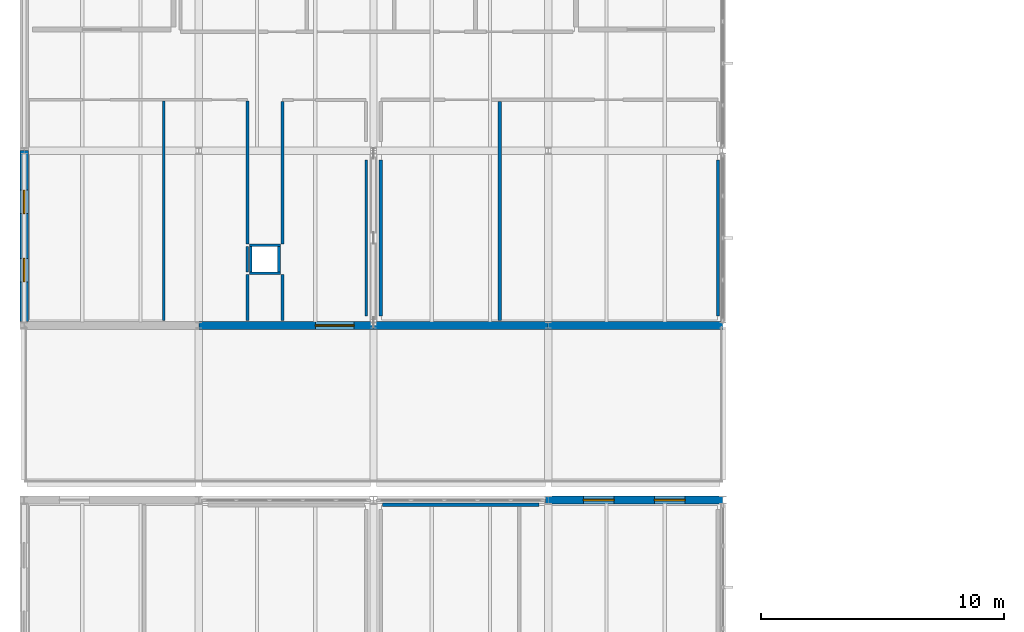
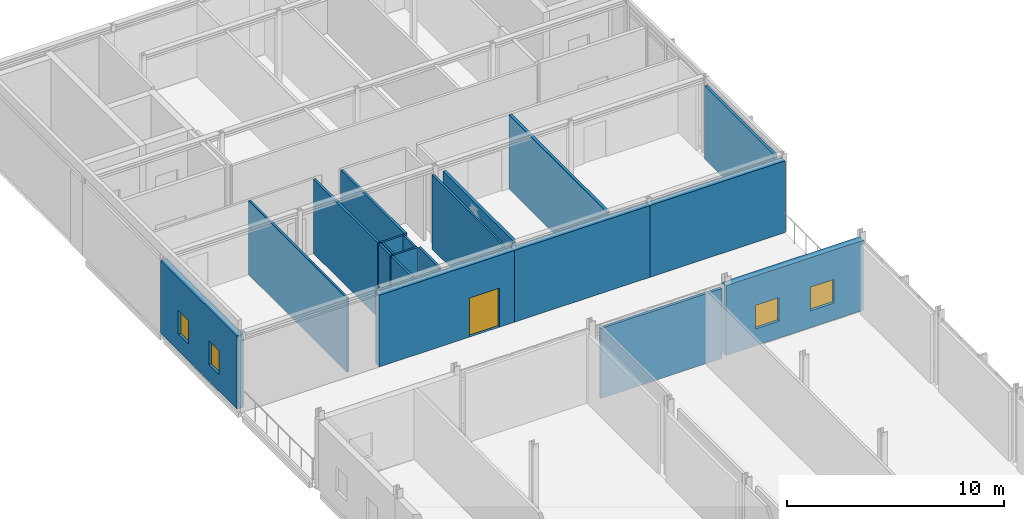
# One storey, part 39 of 53: 20 walls, 4 windows, 1 door, 5 openings.
"""IFC4 building model written with IfcOpenShell, lengths in metres."""

from ifc_helpers import new_model, si_unit, direction, frame, frame_2d, origin, place, context, subcontext, project, spatial, rectangle, extrude, material, layer, layer_set, type_object, element, fill, save


model = new_model("IFC4")

# Units and contexts
model_context = context("Model", 3, precision=1e-05, world=origin(), true_north=direction((0.0, 1.0)))
body_context = subcontext(model_context, "Body", "Model", "MODEL_VIEW")
ifc_project = project(units=[si_unit("LENGTHUNIT", "METRE"), si_unit("AREAUNIT", "SQUARE_METRE"), si_unit("VOLUMEUNIT", "CUBIC_METRE"), si_unit("PLANEANGLEUNIT", "RADIAN"), si_unit("MASSUNIT", "GRAM", prefix="KILO")], contexts=[model_context])

# Site, building, storey
site_placement = place(None, origin())
site = spatial("IfcSite", under=ifc_project, at=site_placement, CompositionType="ELEMENT")
building_placement = place(site_placement, origin())
building = spatial("IfcBuilding", under=site, at=building_placement, Name="Zarrinpeak Specialist Clinic", CompositionType="ELEMENT")
storey_placement = place(building_placement, frame((0.0, 0.0, 14.0)))
storey = spatial("IfcBuildingStorey", under=building, at=storey_placement, Name="L03", CompositionType="ELEMENT", Elevation=14.0)

# Wall, openings, windows
ifc_material_1 = material(Name="Precast concrete C40/50", Category="concrete")
ifc_layer_1 = layer(ifc_material_1, 0.340087890625)
ifc_layer_set_1 = layer_set([ifc_layer_1], Name="Precast concrete C40/50")
wall_type_1 = type_object("IfcWallType", Name="WL-EW340", PredefinedType="STANDARD", material=ifc_layer_set_1)
wall_1_placement = place(storey_placement, frame((28.800048828125, 50.39990234375, 0.0), z_axis=(0.0, 0.0, 1.0), x_axis=(-1.0, 0.0, 0.0)))
wall_1 = element("IfcWall", 1, at=wall_1_placement, inside=storey, type_object=wall_type_1, Name="L03 V1 Exterior GRC Wall EW-L03-V1-0048", PredefinedType="STANDARD", context=body_context, shape_type="SweptSolid", body=[
    extrude(rectangle(XDim=7.31005859375, YDim=0.340087890625, at=frame_2d((3.655029296875, 0.0))), origin(), (0.0, 0.0, 1.0), 3.93505859375),
])
opening_1_placement = place(wall_1_placement, frame((1.55908203125, 0.0, 0.949951171875)))
opening_1 = element("IfcOpeningElement", 2, at=opening_1_placement, cuts=wall_1, Name="Opening WS-39", PredefinedType="OPENING", context=body_context, shape_type="SweptSolid", body=[
    extrude(rectangle(XDim=1.26806640625, YDim=1.33203125, at=frame_2d((0.634033203125, 0.666015625))), frame((0.0, 0.18017578125, 0.0), z_axis=(0.0, -1.0, 0.0), x_axis=(1.0, 0.0, 0.0)), (0.0, 0.0, 1.0), 0.360107421875),
])
opening_2_placement = place(wall_1_placement, frame((4.48291015625, 0.0, 0.949951171875)))
opening_2 = element("IfcOpeningElement", 3, at=opening_2_placement, cuts=wall_1, Name="Opening WS-39", PredefinedType="OPENING", context=body_context, shape_type="SweptSolid", body=[
    extrude(rectangle(XDim=1.26806640625, YDim=1.33203125, at=frame_2d((0.634033203125, 0.666015625))), frame((0.0, 0.18017578125, 0.0), z_axis=(0.0, -1.0, 0.0), x_axis=(1.0, 0.0, 0.0)), (0.0, 0.0, 1.0), 0.360107421875),
])
ifc_material_2 = material(Name="Thermally Broken Aluminium and Low-E Glazing", Category="aluminium")
window_type_1 = type_object("IfcWindowType", Name="WN-SP39", PartitioningType="SINGLE_PANEL", PredefinedType="WINDOW", material=ifc_material_2)
window_1_placement = place(opening_1_placement, origin())
window_1 = element("IfcWindow", 4, at=window_1_placement, inside=storey, type_object=window_type_1, Name="L03 Modular Facade Window WN-L03-0070", OverallHeight=1.33203125, OverallWidth=1.26806640625, PartitioningType="SINGLE_PANEL", PredefinedType="WINDOW", context=body_context, shape_type="SweptSolid", body=[
    extrude(rectangle(XDim=1.26806640625, YDim=1.33203125, at=frame_2d((0.634033203125, 0.666015625))), frame((0.0, 0.030029296875, 0.0), z_axis=(0.0, -1.0, 0.0), x_axis=(1.0, 0.0, 0.0)), (0.0, 0.0, 1.0), 0.06005859375),
])
fill(opening_1, window_1)
window_2_placement = place(opening_2_placement, origin())
window_2 = element("IfcWindow", 5, at=window_2_placement, inside=storey, type_object=window_type_1, Name="L03 Modular Facade Window WN-L03-0071", OverallHeight=1.33203125, OverallWidth=1.26806640625, PartitioningType="SINGLE_PANEL", PredefinedType="WINDOW", context=body_context, shape_type="SweptSolid", body=[
    extrude(rectangle(XDim=1.26806640625, YDim=1.33203125, at=frame_2d((0.634033203125, 0.666015625))), frame((0.0, 0.030029296875, 0.0), z_axis=(0.0, -1.0, 0.0), x_axis=(1.0, 0.0, 0.0)), (0.0, 0.0, 1.0), 0.06005859375),
])
fill(opening_2, window_2)

# Wall, opening, door
wall_2_placement = place(storey_placement, frame((7.199951171875, 57.60009765625, 0.0), z_axis=(0.0, 0.0, 1.0), x_axis=(1.0, 0.0, 0.0)))
wall_2 = element("IfcWall", 6, at=wall_2_placement, inside=storey, type_object=wall_type_1, Name="L03 V5 Exterior GRC Wall EW-L03-V5-0254", PredefinedType="STANDARD", context=body_context, shape_type="SweptSolid", body=[
    extrude(rectangle(XDim=7.199951171875, YDim=0.340087890625, at=frame_2d((3.60009765625, 0.0))), origin(), (0.0, 0.0, 1.0), 4.034912109375),
])
opening_3_placement = place(wall_2_placement, frame((4.800048828125, 0.0, 0.0)))
opening_3 = element("IfcOpeningElement", 7, at=opening_3_placement, cuts=wall_2, Name="Opening D-TR2", PredefinedType="OPENING", context=body_context, shape_type="SweptSolid", body=[
    extrude(rectangle(XDim=1.60009765625, YDim=2.199951171875, at=frame_2d((0.800048828125, 1.10009765625))), frame((0.0, 0.18017578125, 0.0), z_axis=(0.0, -1.0, 0.0), x_axis=(1.0, 0.0, 0.0)), (0.0, 0.0, 1.0), 0.360107421875),
])
ifc_material_3 = material(Name="Powder-Coated Steel and Safety Glazing", Category="steel")
door_type = type_object("IfcDoorType", Name="DR-TER160", OperationType="DOUBLE_DOOR_SINGLE_SWING", PredefinedType="DOOR", material=ifc_material_3)
door_placement = place(opening_3_placement, origin())
door = element("IfcDoor", 8, at=door_placement, inside=storey, type_object=door_type, Name="L03 V5 Healing Terrace Access Door TD-05", OperationType="DOUBLE_DOOR_SINGLE_SWING", OverallHeight=2.199951171875, OverallWidth=1.60009765625, PredefinedType="DOOR", context=body_context, shape_type="SweptSolid", body=[
    extrude(rectangle(XDim=1.60009765625, YDim=2.199951171875, at=frame_2d((0.800048828125, 1.10009765625))), frame((0.0, 0.02490234375, 0.0), z_axis=(0.0, -1.0, 0.0), x_axis=(1.0, 0.0, 0.0)), (0.0, 0.0, 1.0), 0.050048828125),
])
fill(opening_3, door)

# Walls
wall_3_placement = place(storey_placement, frame((14.39990234375, 57.60009765625, 0.0), z_axis=(0.0, 0.0, 1.0), x_axis=(1.0, 0.0, 0.0)))
element("IfcWall", 9, at=wall_3_placement, inside=storey, type_object=wall_type_1, Name="L03 V5 Exterior GRC Wall EW-L03-V5-0255", PredefinedType="STANDARD", context=body_context, shape_type="SweptSolid", body=[
    extrude(rectangle(XDim=7.2001953125, YDim=0.340087890625, at=frame_2d((3.60009765625, 0.0))), origin(), (0.0, 0.0, 1.0), 4.034912109375),
])
wall_4_placement = place(storey_placement, frame((21.60009765625, 57.60009765625, 0.0), z_axis=(0.0, 0.0, 1.0), x_axis=(1.0, 0.0, 0.0)))
element("IfcWall", 10, at=wall_4_placement, inside=storey, type_object=wall_type_1, Name="L03 V5 Exterior GRC Wall EW-L03-V5-0256", PredefinedType="STANDARD", context=body_context, shape_type="SweptSolid", body=[
    extrude(rectangle(XDim=7.199951171875, YDim=0.340087890625, at=frame_2d((3.60009765625, 0.0))), origin(), (0.0, 0.0, 1.0), 4.034912109375),
])

# Wall, openings, windows
wall_5_placement = place(storey_placement, frame((0.0, 64.800048828125, 0.0), z_axis=(0.0, 0.0, 1.0), x_axis=(0.0, -1.0, 0.0)))
wall_5 = element("IfcWall", 11, at=wall_5_placement, inside=storey, type_object=wall_type_1, Name="L03 V5 Exterior GRC Wall EW-L03-V5-0261", PredefinedType="STANDARD", context=body_context, shape_type="SweptSolid", body=[
    extrude(rectangle(XDim=7.030029296875, YDim=0.340087890625, at=frame_2d((3.51513671875, 0.0))), origin(), (0.0, 0.0, 1.0), 4.110107421875),
])
opening_4_placement = place(wall_5_placement, frame((1.6279296875, 0.0, 0.949951171875)))
opening_4 = element("IfcOpeningElement", 12, at=opening_4_placement, cuts=wall_5, Name="Opening WS-30", PredefinedType="OPENING", context=body_context, shape_type="SweptSolid", body=[
    extrude(rectangle(XDim=0.9619140625, YDim=1.33203125, at=frame_2d((0.48095703125, 0.666015625))), frame((0.0, 0.18017578125, 0.0), z_axis=(0.0, -1.0, 0.0), x_axis=(1.0, 0.0, 0.0)), (0.0, 0.0, 1.0), 0.360107421875),
])
opening_5_placement = place(wall_5_placement, frame((4.43994140625, 0.0, 0.949951171875)))
opening_5 = element("IfcOpeningElement", 13, at=opening_5_placement, cuts=wall_5, Name="Opening WS-30", PredefinedType="OPENING", context=body_context, shape_type="SweptSolid", body=[
    extrude(rectangle(XDim=0.9619140625, YDim=1.33203125, at=frame_2d((0.48095703125, 0.666015625))), frame((0.0, 0.18017578125, 0.0), z_axis=(0.0, -1.0, 0.0), x_axis=(1.0, 0.0, 0.0)), (0.0, 0.0, 1.0), 0.360107421875),
])
window_type_2 = type_object("IfcWindowType", Name="WN-SP30", PartitioningType="SINGLE_PANEL", PredefinedType="WINDOW", material=ifc_material_2)
window_3_placement = place(opening_4_placement, origin())
window_3 = element("IfcWindow", 14, at=window_3_placement, inside=storey, type_object=window_type_2, Name="L03 Modular Facade Window WN-L03-0293", OverallHeight=1.33203125, OverallWidth=0.9619140625, PartitioningType="SINGLE_PANEL", PredefinedType="WINDOW", context=body_context, shape_type="SweptSolid", body=[
    extrude(rectangle(XDim=0.9619140625, YDim=1.33203125, at=frame_2d((0.48095703125, 0.666015625))), frame((0.0, 0.030029296875, 0.0), z_axis=(0.0, -1.0, 0.0), x_axis=(1.0, 0.0, 0.0)), (0.0, 0.0, 1.0), 0.06005859375),
])
fill(opening_4, window_3)
window_4_placement = place(opening_5_placement, origin())
window_4 = element("IfcWindow", 15, at=window_4_placement, inside=storey, type_object=window_type_2, Name="L03 Modular Facade Window WN-L03-0294", OverallHeight=1.33203125, OverallWidth=0.9619140625, PartitioningType="SINGLE_PANEL", PredefinedType="WINDOW", context=body_context, shape_type="SweptSolid", body=[
    extrude(rectangle(XDim=0.9619140625, YDim=1.33203125, at=frame_2d((0.48095703125, 0.666015625))), frame((0.0, 0.030029296875, 0.0), z_axis=(0.0, -1.0, 0.0), x_axis=(1.0, 0.0, 0.0)), (0.0, 0.0, 1.0), 0.06005859375),
])
fill(opening_5, window_4)

# Walls
ifc_material_4 = material(Name="Sanitary Service Chase Plumbing Wall", Category="gypsum")
ifc_layer_2 = layer(ifc_material_4, 0.110107421875)
ifc_layer_set_2 = layer_set([ifc_layer_2], Name="Sanitary Service Chase Plumbing Wall")
wall_type_2 = type_object("IfcWallType", Name="WL-IW110", PredefinedType="PARTITIONING", material=ifc_layer_set_2)
for number, where, z_axis, x_axis, name in (
    (16, (9.2900390625, 59.7451171875, 0.0), (0.0, 0.0, 1.0), (1.0, 0.0, 0.0), "L03 V5 Enclosed MEP Service Riser Wall S"),
    (17, (9.2900390625, 60.905029296875, 0.0), (0.0, 0.0, 1.0), (1.0, 0.0, 0.0), "L03 V5 Enclosed MEP Service Riser Wall N"),
):
    element("IfcWall", number, at=place(storey_placement, frame(where, z_axis=z_axis, x_axis=x_axis)), inside=storey, type_object=wall_type_2, Name=name, PredefinedType="PARTITIONING", context=body_context, shape_type="SweptSolid", body=[
        extrude(rectangle(XDim=1.27001953125, YDim=0.110107421875, at=frame_2d((0.635009765625, 0.0))), origin(), (0.0, 0.0, 1.0), 4.179931640625),
    ])
for number, where, z_axis, x_axis, name in (
    (18, (9.344970703125, 59.800048828125, 0.0), (0.0, 0.0, 1.0), (0.0, 1.0, 0.0), "L03 V5 Enclosed MEP Service Riser Wall W"),
    (19, (10.5048828125, 59.800048828125, 0.0), (0.0, 0.0, 1.0), (0.0, 1.0, 0.0), "L03 V5 Enclosed MEP Service Riser Wall E"),
):
    element("IfcWall", number, at=place(storey_placement, frame(where, z_axis=z_axis, x_axis=x_axis)), inside=storey, type_object=wall_type_2, Name=name, PredefinedType="PARTITIONING", context=body_context, shape_type="SweptSolid", body=[
        extrude(rectangle(XDim=1.050048828125, YDim=0.110107421875, at=frame_2d((0.52490234375, 0.0))), origin(), (0.0, 0.0, 1.0), 4.179931640625),
    ])
wall_6_placement = place(storey_placement, frame((5.75, 57.800048828125, 0.0), z_axis=(0.0, 0.0, 1.0), x_axis=(0.0, 1.0, 0.0)))
element("IfcWall", 20, at=wall_6_placement, inside=storey, type_object=wall_type_2, Name="L03 Accessible Patient WC Dividing Partition", PredefinedType="PARTITIONING", context=body_context, shape_type="SweptSolid", body=[
    extrude(rectangle(XDim=9.044921875, YDim=0.110107421875, at=frame_2d((4.5224609375, 0.0))), origin(), (0.0, 0.0, 1.0), 4.179931640625),
])
wall_7_placement = place(storey_placement, frame((9.199951171875, 59.800048828125, 0.0), z_axis=(0.0, 0.0, 1.0), x_axis=(0.0, 1.0, 0.0)))
element("IfcWall", 21, at=wall_7_placement, inside=storey, type_object=wall_type_2, Name="L03 Accessible Patient WC Dividing Partition", PredefinedType="PARTITIONING", context=body_context, shape_type="SweptSolid", body=[
    extrude(rectangle(XDim=1.050048828125, YDim=0.110107421875, at=frame_2d((0.52490234375, 0.0))), origin(), (0.0, 0.0, 1.0), 4.179931640625),
])
wall_8_placement = place(storey_placement, frame((10.64990234375, 57.800048828125, 0.0), z_axis=(0.0, 0.0, 1.0), x_axis=(0.0, 1.0, 0.0)))
element("IfcWall", 22, at=wall_8_placement, inside=storey, type_object=wall_type_2, Name="L03 Staff WC Dividing Partition", PredefinedType="PARTITIONING", context=body_context, shape_type="SweptSolid", body=[
    extrude(rectangle(XDim=1.889892578125, YDim=0.110107421875, at=frame_2d((0.94482421875, 0.0))), origin(), (0.0, 0.0, 1.0), 4.179931640625),
])
wall_9_placement = place(storey_placement, frame((14.10009765625, 57.97998046875, 0.0), z_axis=(0.0, 0.0, 1.0), x_axis=(0.0, 1.0, 0.0)))
element("IfcWall", 23, at=wall_9_placement, inside=storey, type_object=wall_type_2, Name="L03 Staff WC Dividing Partition", PredefinedType="PARTITIONING", context=body_context, shape_type="SweptSolid", body=[
    extrude(rectangle(XDim=6.43994140625, YDim=0.110107421875, at=frame_2d((3.219970703125, 0.0))), origin(), (0.0, 0.0, 1.0), 4.179931640625),
])
ifc_material_5 = material(Name="Moisture-Resistant Wet-Room Partition", Category="gypsum")
ifc_layer_3 = layer(ifc_material_5, 0.125)
ifc_layer_set_3 = layer_set([ifc_layer_3], Name="Moisture-Resistant Wet-Room Partition")
wall_type_3 = type_object("IfcWallType", Name="WL-IW125W", PredefinedType="PARTITIONING", material=ifc_layer_set_3)
wall_10_placement = place(storey_placement, frame((9.199951171875, 57.800048828125, 0.0), z_axis=(0.0, 0.0, 1.0), x_axis=(0.0, 1.0, 0.0)))
element("IfcWall", 24, at=wall_10_placement, inside=storey, type_object=wall_type_3, Name="L03 Accessible Patient WC Dividing Partition", PredefinedType="PARTITIONING", context=body_context, shape_type="SweptSolid", body=[
    extrude(rectangle(XDim=1.889892578125, YDim=0.125, at=frame_2d((0.94482421875, 0.0))), origin(), (0.0, 0.0, 1.0), 4.179931640625),
])
wall_11_placement = place(storey_placement, frame((9.199951171875, 60.9599609375, 0.0), z_axis=(0.0, 0.0, 1.0), x_axis=(0.0, 1.0, 0.0)))
element("IfcWall", 25, at=wall_11_placement, inside=storey, type_object=wall_type_3, Name="L03 Accessible Patient WC Dividing Partition", PredefinedType="PARTITIONING", context=body_context, shape_type="SweptSolid", body=[
    extrude(rectangle(XDim=5.885009765625, YDim=0.125, at=frame_2d((2.9423828125, 0.0))), origin(), (0.0, 0.0, 1.0), 4.179931640625),
])
wall_12_placement = place(storey_placement, frame((10.64990234375, 60.9599609375, 0.0), z_axis=(0.0, 0.0, 1.0), x_axis=(0.0, 1.0, 0.0)))
element("IfcWall", 26, at=wall_12_placement, inside=storey, type_object=wall_type_3, Name="L03 Staff WC Dividing Partition", PredefinedType="PARTITIONING", context=body_context, shape_type="SweptSolid", body=[
    extrude(rectangle(XDim=5.87744140625, YDim=0.125, at=frame_2d((2.938720703125, 0.0))), origin(), (0.0, 0.0, 1.0), 4.179931640625),
])
ifc_material_6 = material(Name="Acoustic Consultation Stud Partition", Category="gypsum")
ifc_layer_4 = layer(ifc_material_6, 0.14208984375)
ifc_layer_set_4 = layer_set([ifc_layer_4], Name="Acoustic Consultation Stud Partition")
wall_type_4 = type_object("IfcWallType", Name="WL-IW142", PredefinedType="PARTITIONING", material=ifc_layer_set_4)
wall_13_placement = place(storey_placement, frame((14.780029296875, 50.199951171875, 0.0), z_axis=(0.0, 0.0, 1.0), x_axis=(1.0, 0.0, 0.0)))
element("IfcWall", 27, at=wall_13_placement, inside=storey, type_object=wall_type_4, Name="L03 Rheumatology Ultrasound Consult Partition", PredefinedType="PARTITIONING", context=body_context, shape_type="SweptSolid", body=[
    extrude(rectangle(XDim=6.43994140625, YDim=0.14208984375, at=frame_2d((3.219970703125, 0.0))), origin(), (0.0, 0.0, 1.0), 3.93505859375),
])
wall_14_placement = place(storey_placement, frame((28.60009765625, 57.97998046875, 0.0), z_axis=(0.0, 0.0, 1.0), x_axis=(0.0, 1.0, 0.0)))
element("IfcWall", 28, at=wall_14_placement, inside=storey, type_object=wall_type_4, Name="L03 Specialist Consultation Room 4 Dividing Partition", PredefinedType="PARTITIONING", context=body_context, shape_type="SweptSolid", body=[
    extrude(rectangle(XDim=6.43994140625, YDim=0.14208984375, at=frame_2d((3.219970703125, 0.0))), origin(), (0.0, 0.0, 1.0), 4.110107421875),
])
ifc_material_7 = material(Name="Insulated Clinical Gypsum Stud Partition", Category="gypsum")
ifc_layer_5 = layer(ifc_material_7, 0.14990234375)
ifc_layer_set_5 = layer_set([ifc_layer_5], Name="Insulated Clinical Gypsum Stud Partition")
wall_type_5 = type_object("IfcWallType", Name="WL-IW150", PredefinedType="PARTITIONING", material=ifc_layer_set_5)
wall_15_placement = place(storey_placement, frame((19.60009765625, 57.800048828125, 0.0), z_axis=(0.0, 0.0, 1.0), x_axis=(0.0, 1.0, 0.0)))
element("IfcWall", 29, at=wall_15_placement, inside=storey, type_object=wall_type_5, Name="L03 Patient Support Seminar Lounge Dividing Partition", PredefinedType="PARTITIONING", context=body_context, shape_type="SweptSolid", body=[
    extrude(rectangle(XDim=9.029052734375, YDim=0.14990234375, at=frame_2d((4.5146484375, 0.0))), origin(), (0.0, 0.0, 1.0), 4.179931640625),
])
ifc_material_8 = material(Name="Acoustic Double Gypsum Stud Partition", Category="gypsum")
ifc_layer_6 = layer(ifc_material_8, 0.159912109375)
ifc_layer_set_6 = layer_set([ifc_layer_6], Name="Acoustic Double Gypsum Stud Partition")
wall_type_6 = type_object("IfcWallType", Name="WL-IW160", PredefinedType="PARTITIONING", material=ifc_layer_set_6)
wall_16_placement = place(storey_placement, frame((14.699951171875, 57.97998046875, 0.0), z_axis=(0.0, 0.0, 1.0), x_axis=(0.0, 1.0, 0.0)))
element("IfcWall", 30, at=wall_16_placement, inside=storey, type_object=wall_type_6, Name="L03 Patient Support Seminar Lounge Dividing Partition", PredefinedType="PARTITIONING", context=body_context, shape_type="SweptSolid", body=[
    extrude(rectangle(XDim=6.43994140625, YDim=0.159912109375, at=frame_2d((3.219970703125, 0.0))), origin(), (0.0, 0.0, 1.0), 4.179931640625),
])

save(model, "model.ifc")
